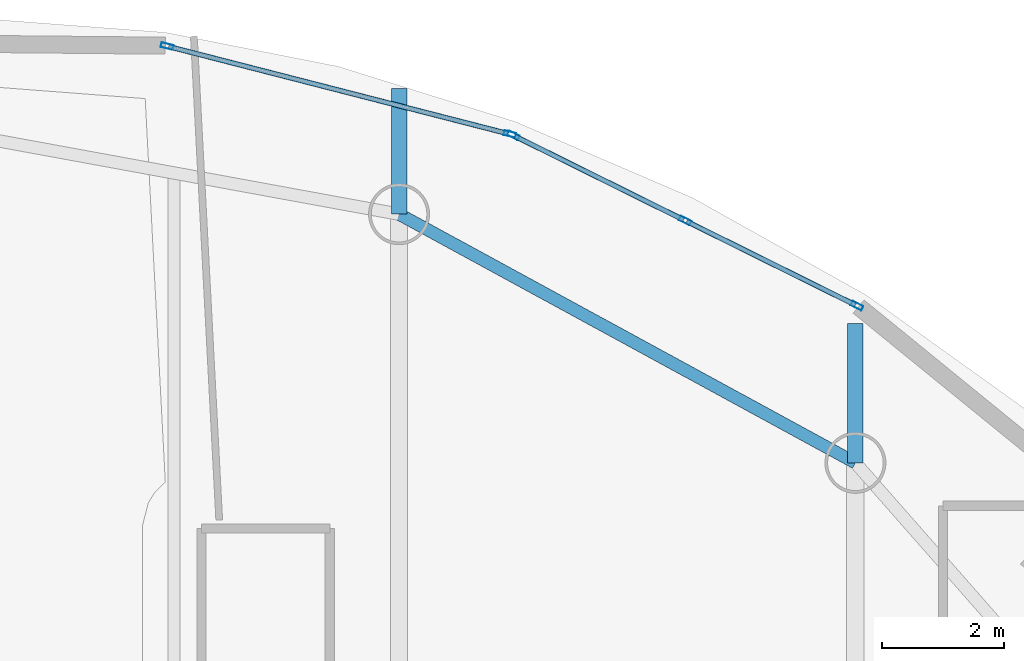
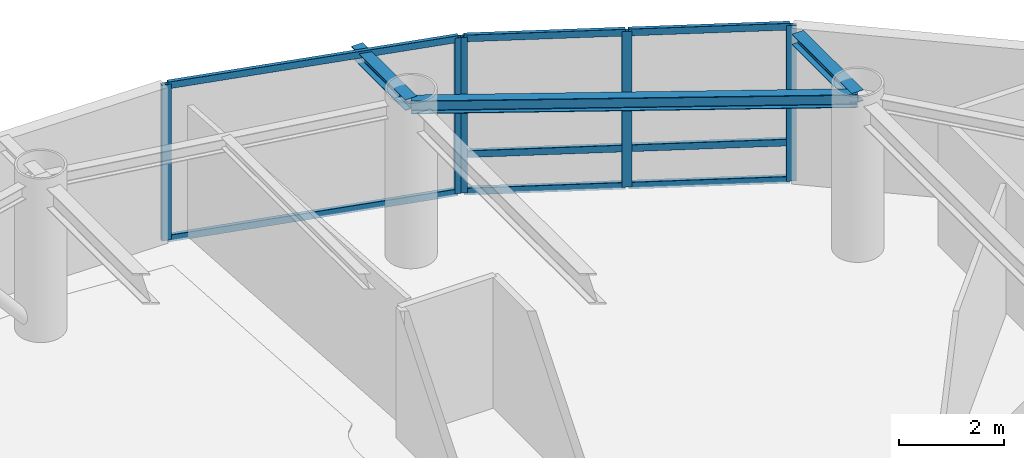
# One storey, part 10 of 17: 13 members, 3 beams, 2 elements without a shape of their own.
"""IFC4 building model written with IfcOpenShell, lengths in metres."""

from ifc_helpers import new_model, si_unit, direction, frame, origin, origin_2d, place, context, subcontext, project, spatial, hollow_rectangle, i_section, extrude, material, layer, layer_set, material_profile, profile_set, type_object, element, aggregate, save


model = new_model("IFC4")

# Units and contexts
model_context = context("Model", 3, precision=1e-05, world=origin(), true_north=direction((0.0, 1.0)))
body_context = subcontext(model_context, "Body", "Model", "MODEL_VIEW")
ifc_project = project(units=[si_unit("LENGTHUNIT", "METRE"), si_unit("AREAUNIT", "SQUARE_METRE"), si_unit("VOLUMEUNIT", "CUBIC_METRE"), si_unit("PLANEANGLEUNIT", "RADIAN"), si_unit("MASSUNIT", "GRAM", prefix="KILO")], contexts=[model_context])

# Site, building, storey
site_placement = place(None, origin())
site = spatial("IfcSite", under=ifc_project, at=site_placement, CompositionType="ELEMENT")
building_placement = place(site_placement, origin())
building = spatial("IfcBuilding", under=site, at=building_placement, Name="Bramvorn Convention Spire", CompositionType="ELEMENT")
storey_placement = place(building_placement, frame((0.0, 0.0, 280.550048828125)))
storey = spatial("IfcBuildingStorey", under=building, at=storey_placement, Name="L71", CompositionType="ELEMENT", Elevation=280.550048828125)

# Beams
ifc_material_1 = material(Name="Steel CSA G40.21 Grade 350 (350W)", Category="steel")
ifc_material_profile_1 = material_profile(ifc_material_1, i_section(OverallWidth=0.25390625, OverallDepth=0.2529296875, WebThickness=0.008544921875, FlangeThickness=0.01416015625, FilletRadius=0.011962890625, at=origin_2d()))
ifc_profile_set_1 = profile_set([ifc_material_profile_1], Name="Steel CSA G40.21 Grade 350 (350W) - W250X73")
beam_type_1 = type_object("IfcBeamType", Name="BM-W250X73", PredefinedType="BEAM", material=ifc_profile_set_1)
beam_1_placement = place(storey_placement, frame((47.662353515625, 41.476806640625, 3.49853515625), z_axis=(0.0, 1.0, 0.0), x_axis=(-1.0, 0.0, 0.0)))
element("IfcBeam", 1, at=beam_1_placement, inside=storey, type_object=beam_type_1, Name="L71 slab-edge cantilever tip beam MC06", PredefinedType="BEAM", context=body_context, shape_type="SweptSolid", body=[
    extrude(i_section(OverallWidth=0.25390625, OverallDepth=0.2529296875, WebThickness=0.008544921875, FlangeThickness=0.01416015625, FilletRadius=0.011962890625, at=origin_2d()), origin(), (0.0, 0.0, 1.0), 2.28466796875),
])
beam_2_placement = place(storey_placement, frame((40.1845703125, 45.55078125, 3.49853515625), z_axis=(0.0, 1.0, 0.0), x_axis=(-1.0, 0.0, 0.0)))
element("IfcBeam", 2, at=beam_2_placement, inside=storey, type_object=beam_type_1, Name="L71 slab-edge cantilever tip beam MC07", PredefinedType="BEAM", context=body_context, shape_type="SweptSolid", body=[
    extrude(i_section(OverallWidth=0.25390625, OverallDepth=0.2529296875, WebThickness=0.008544921875, FlangeThickness=0.01416015625, FilletRadius=0.011962890625, at=origin_2d()), origin(), (0.0, 0.0, 1.0), 2.055908203125),
])
ifc_material_profile_2 = material_profile(ifc_material_1, i_section(OverallWidth=0.202880859375, OverallDepth=0.302978515625, WebThickness=0.007568359375, FlangeThickness=0.01318359375, FilletRadius=0.013916015625, at=origin_2d()))
ifc_profile_set_2 = profile_set([ifc_material_profile_2], Name="Steel CSA G40.21 Grade 350 (350W) - W310X60")
beam_type_2 = type_object("IfcBeamType", Name="BM-W310X60", PredefinedType="JOIST", material=ifc_profile_set_2)
beam_3_placement = place(storey_placement, frame((47.662353515625, 41.476806640625, 3.473388671875), z_axis=(-0.878133224771, 0.478416178189, 0.0), x_axis=(-0.478416178189, -0.878133224771, 0.0)))
element("IfcBeam", 3, at=beam_3_placement, inside=storey, type_object=beam_type_2, Name="L71 mega-column ring beam 06", PredefinedType="JOIST", context=body_context, shape_type="SweptSolid", body=[
    extrude(i_section(OverallWidth=0.202880859375, OverallDepth=0.302978515625, WebThickness=0.007568359375, FlangeThickness=0.01318359375, FilletRadius=0.013916015625, at=origin_2d()), origin(), (0.0, 0.0, 1.0), 8.515625),
])

# Curtain wall, members
ifc_material_2 = material(Name="Anodised Bronze Unitised Curtain Wall", Category="aluminium")
ifc_layer = layer(ifc_material_2, 0.179931640625)
ifc_layer_set = layer_set([ifc_layer], Name="Anodised Bronze Unitised Curtain Wall - CW-OFF-FRIT")
curtain_wall_type = type_object("IfcCurtainWallType", Name="CW-OFF-FRIT", PredefinedType="USERDEFINED", material=ifc_layer_set)
curtain_wall_1_placement = place(storey_placement, origin())
curtain_wall_1 = element("IfcCurtainWall", 4, at=curtain_wall_1_placement, inside=storey, type_object=curtain_wall_type, Name="L71 fritted glass curtain wall 09", ObjectType="UNITISED CURTAIN WALL", PredefinedType="USERDEFINED")
ifc_material_3 = material(Name="Anodised Bronze Aluminium 6063-T6", Category="aluminium")
ifc_material_profile_3 = material_profile(ifc_material_3, hollow_rectangle(XDim=0.080078125, YDim=0.199951171875, WallThickness=0.00390625, InnerFilletRadius=0.0009765625, OuterFilletRadius=0.00390625, at=origin_2d()))
ifc_profile_set_3 = profile_set([ifc_material_profile_3], Name="Anodised Bronze Aluminium 6063-T6 - CWM80X200")
member_type_1 = type_object("IfcMemberType", Name="CW-MUL-180", PredefinedType="MULLION", material=ifc_profile_set_3)
member_1_placement = place(storey_placement, frame((42.056640625, 46.841552734375, 0.0), z_axis=(0.0, 0.0, 1.0), x_axis=(0.444178808636, 0.895938159673, 0.0)))
member_1 = element("IfcMember", 5, at=member_1_placement, type_object=member_type_1, Name="CW3 mullion 1", PredefinedType="MULLION", context=body_context, shape_type="SweptSolid", body=[
    extrude(hollow_rectangle(XDim=0.080078125, YDim=0.199951171875, WallThickness=0.00390625, InnerFilletRadius=0.0009765625, OuterFilletRadius=0.00390625, at=origin_2d()), origin(), (0.0, 0.0, 1.0), 3.625),
])
member_2_placement = place(storey_placement, frame((44.872314453125, 45.44580078125, 0.0), z_axis=(0.0, 0.0, 1.0), x_axis=(0.444178808636, 0.895938159673, 0.0)))
member_2 = element("IfcMember", 6, at=member_2_placement, type_object=member_type_1, Name="CW3 mullion 2", PredefinedType="MULLION", context=body_context, shape_type="SweptSolid", body=[
    extrude(hollow_rectangle(XDim=0.080078125, YDim=0.199951171875, WallThickness=0.00390625, InnerFilletRadius=0.0009765625, OuterFilletRadius=0.00390625, at=origin_2d()), origin(), (0.0, 0.0, 1.0), 3.625),
])
member_3_placement = place(storey_placement, frame((47.687744140625, 44.0498046875, 0.0), z_axis=(0.0, 0.0, 1.0), x_axis=(0.444178808636, 0.895938159673, 0.0)))
member_3 = element("IfcMember", 7, at=member_3_placement, type_object=member_type_1, Name="CW3 mullion 3", PredefinedType="MULLION", context=body_context, shape_type="SweptSolid", body=[
    extrude(hollow_rectangle(XDim=0.080078125, YDim=0.199951171875, WallThickness=0.00390625, InnerFilletRadius=0.0009765625, OuterFilletRadius=0.00390625, at=origin_2d()), origin(), (0.0, 0.0, 1.0), 3.625),
])

curtain_wall_2_placement = place(storey_placement, origin())
curtain_wall_2 = element("IfcCurtainWall", 8, at=curtain_wall_2_placement, inside=storey, type_object=curtain_wall_type, Name="L71 fritted glass curtain wall 10", ObjectType="UNITISED CURTAIN WALL", PredefinedType="USERDEFINED")
member_4_placement = place(storey_placement, frame((36.3828125, 48.30419921875, 0.0), z_axis=(0.0, 0.0, 1.0), x_axis=(0.248585967227, 0.968609837291, 0.0)))
member_4 = element("IfcMember", 9, at=member_4_placement, type_object=member_type_1, Name="CW3 mullion 1", PredefinedType="MULLION", context=body_context, shape_type="SweptSolid", body=[
    extrude(hollow_rectangle(XDim=0.080078125, YDim=0.199951171875, WallThickness=0.00390625, InnerFilletRadius=0.0009765625, OuterFilletRadius=0.00390625, at=origin_2d()), origin(), (0.0, 0.0, 1.0), 3.625),
])
member_5_placement = place(storey_placement, frame((42.000732421875, 46.8623046875, 0.0), z_axis=(0.0, 0.0, 1.0), x_axis=(0.248585967227, 0.968609837291, 0.0)))
member_5 = element("IfcMember", 10, at=member_5_placement, type_object=member_type_1, Name="CW3 mullion 2", PredefinedType="MULLION", context=body_context, shape_type="SweptSolid", body=[
    extrude(hollow_rectangle(XDim=0.080078125, YDim=0.199951171875, WallThickness=0.00390625, InnerFilletRadius=0.0009765625, OuterFilletRadius=0.00390625, at=origin_2d()), origin(), (0.0, 0.0, 1.0), 3.625),
])

# Member
ifc_material_profile_4 = material_profile(ifc_material_3, hollow_rectangle(XDim=0.080078125, YDim=0.159912109375, WallThickness=0.00390625, InnerFilletRadius=0.0009765625, OuterFilletRadius=0.00390625, at=origin_2d()))
ifc_profile_set_4 = profile_set([ifc_material_profile_4], Name="Anodised Bronze Aluminium 6063-T6 - CWT80X160")
member_type_2 = type_object("IfcMemberType", Name="CW-TRN-150", PredefinedType="USERDEFINED", material=ifc_profile_set_4)
member_6_placement = place(storey_placement, frame((42.08349609375, 46.828369140625, 0.030029296875), z_axis=(0.895926822858, -0.444201675012, 0.0), x_axis=(0.444201675012, 0.895926822858, 0.0)))
member_6 = element("IfcMember", 11, at=member_6_placement, type_object=member_type_2, Name="CW3 transom 1.1", ObjectType="TRANSOM", PredefinedType="USERDEFINED", context=body_context, shape_type="SweptSolid", body=[
    extrude(hollow_rectangle(XDim=0.080078125, YDim=0.159912109375, WallThickness=0.00390625, InnerFilletRadius=0.0009765625, OuterFilletRadius=0.00390625, at=origin_2d()), origin(), (0.0, 0.0, 1.0), 3.082763671875),
])

member_7_placement = place(storey_placement, frame((42.08349609375, 46.828369140625, 0.89990234375), z_axis=(0.895926822858, -0.444201675012, 0.0), x_axis=(0.444201675012, 0.895926822858, 0.0)))
member_7 = element("IfcMember", 12, at=member_7_placement, type_object=member_type_2, Name="CW3 transom 1.2", ObjectType="TRANSOM", PredefinedType="USERDEFINED", context=body_context, shape_type="SweptSolid", body=[
    extrude(hollow_rectangle(XDim=0.080078125, YDim=0.159912109375, WallThickness=0.00390625, InnerFilletRadius=0.0009765625, OuterFilletRadius=0.00390625, at=origin_2d()), origin(), (0.0, 0.0, 1.0), 3.082763671875),
])

member_8_placement = place(storey_placement, frame((42.08349609375, 46.828369140625, 3.594970703125), z_axis=(0.895926822858, -0.444201675012, 0.0), x_axis=(0.444201675012, 0.895926822858, 0.0)))
member_8 = element("IfcMember", 13, at=member_8_placement, type_object=member_type_2, Name="CW3 transom 1.3", ObjectType="TRANSOM", PredefinedType="USERDEFINED", context=body_context, shape_type="SweptSolid", body=[
    extrude(hollow_rectangle(XDim=0.080078125, YDim=0.159912109375, WallThickness=0.00390625, InnerFilletRadius=0.0009765625, OuterFilletRadius=0.00390625, at=origin_2d()), origin(), (0.0, 0.0, 1.0), 3.082763671875),
])

member_9_placement = place(storey_placement, frame((44.899169921875, 45.432373046875, 0.030029296875), z_axis=(0.895942714898, -0.444169620328, 0.0), x_axis=(0.444169620328, 0.895942714898, 0.0)))
member_9 = element("IfcMember", 14, at=member_9_placement, type_object=member_type_2, Name="CW3 transom 2.1", ObjectType="TRANSOM", PredefinedType="USERDEFINED", context=body_context, shape_type="SweptSolid", body=[
    extrude(hollow_rectangle(XDim=0.080078125, YDim=0.159912109375, WallThickness=0.00390625, InnerFilletRadius=0.0009765625, OuterFilletRadius=0.00390625, at=origin_2d()), origin(), (0.0, 0.0, 1.0), 3.08251953125),
])

member_10_placement = place(storey_placement, frame((44.899169921875, 45.432373046875, 0.89990234375), z_axis=(0.895942714898, -0.444169620328, 0.0), x_axis=(0.444169620328, 0.895942714898, 0.0)))
member_10 = element("IfcMember", 15, at=member_10_placement, type_object=member_type_2, Name="CW3 transom 2.2", ObjectType="TRANSOM", PredefinedType="USERDEFINED", context=body_context, shape_type="SweptSolid", body=[
    extrude(hollow_rectangle(XDim=0.080078125, YDim=0.159912109375, WallThickness=0.00390625, InnerFilletRadius=0.0009765625, OuterFilletRadius=0.00390625, at=origin_2d()), origin(), (0.0, 0.0, 1.0), 3.08251953125),
])

member_11_placement = place(storey_placement, frame((44.899169921875, 45.432373046875, 3.594970703125), z_axis=(0.895942714898, -0.444169620328, 0.0), x_axis=(0.444169620328, 0.895942714898, 0.0)))
member_11 = element("IfcMember", 16, at=member_11_placement, type_object=member_type_2, Name="CW3 transom 2.3", ObjectType="TRANSOM", PredefinedType="USERDEFINED", context=body_context, shape_type="SweptSolid", body=[
    extrude(hollow_rectangle(XDim=0.080078125, YDim=0.159912109375, WallThickness=0.00390625, InnerFilletRadius=0.0009765625, OuterFilletRadius=0.00390625, at=origin_2d()), origin(), (0.0, 0.0, 1.0), 3.08251953125),
])

aggregate(curtain_wall_1, [member_1, member_2, member_3, member_6, member_7, member_8, member_9, member_10, member_11])

member_12_placement = place(storey_placement, frame((36.411865234375, 48.296630859375, 0.030029296875), z_axis=(0.968615042729, -0.248565683472, 0.0), x_axis=(0.248565683472, 0.968615042729, 0.0)))
member_12 = element("IfcMember", 17, at=member_12_placement, type_object=member_type_2, Name="CW3 transom 1.1", ObjectType="TRANSOM", PredefinedType="USERDEFINED", context=body_context, shape_type="SweptSolid", body=[
    extrude(hollow_rectangle(XDim=0.080078125, YDim=0.159912109375, WallThickness=0.00390625, InnerFilletRadius=0.0009765625, OuterFilletRadius=0.00390625, at=origin_2d()), origin(), (0.0, 0.0, 1.0), 5.739990234375),
])

member_13_placement = place(storey_placement, frame((36.411865234375, 48.296630859375, 3.594970703125), z_axis=(0.968615042729, -0.248565683472, 0.0), x_axis=(0.248565683472, 0.968615042729, 0.0)))
member_13 = element("IfcMember", 18, at=member_13_placement, type_object=member_type_2, Name="CW3 transom 1.2", ObjectType="TRANSOM", PredefinedType="USERDEFINED", context=body_context, shape_type="SweptSolid", body=[
    extrude(hollow_rectangle(XDim=0.080078125, YDim=0.159912109375, WallThickness=0.00390625, InnerFilletRadius=0.0009765625, OuterFilletRadius=0.00390625, at=origin_2d()), origin(), (0.0, 0.0, 1.0), 5.739990234375),
])

aggregate(curtain_wall_2, [member_4, member_5, member_12, member_13])

save(model, "model.ifc")
